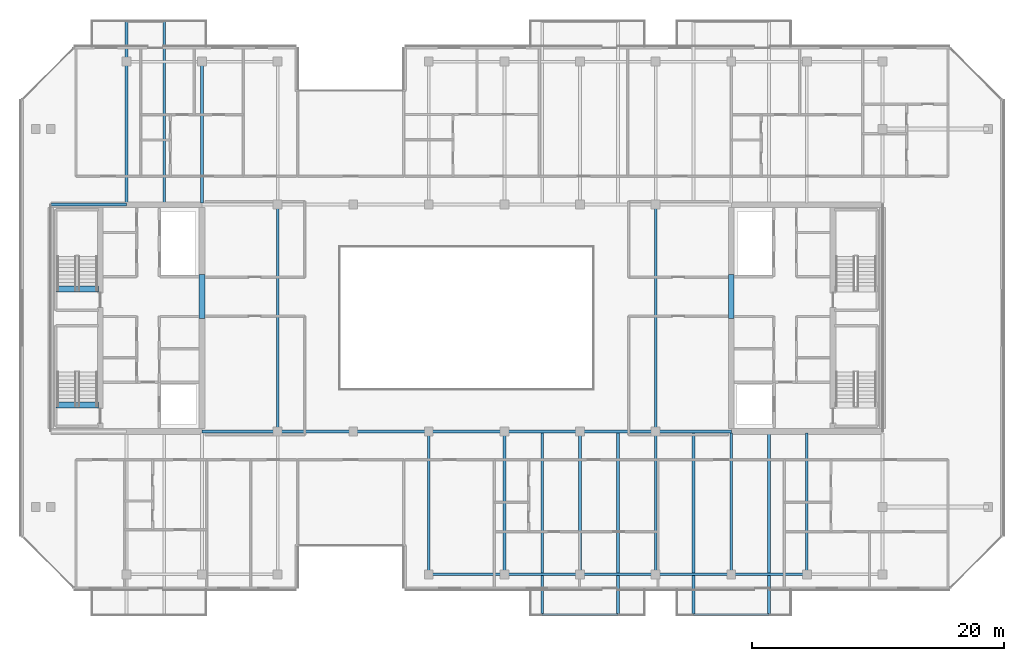
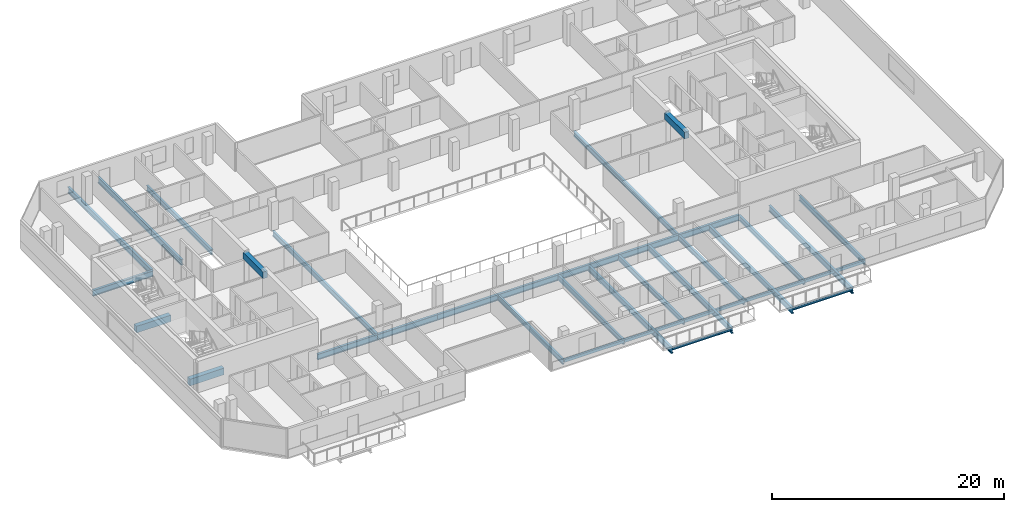
# One storey, part 5 of 24: 34 beams.
"""IFC4 building model written with IfcOpenShell, lengths in metres."""

from ifc_helpers import new_model, si_unit, direction, frame, origin, origin_2d, place, context, subcontext, project, spatial, rectangle, hollow_rectangle, i_section, extrude, material, material_profile, profile_set, type_object, element, save


model = new_model("IFC4")

# Units and contexts
model_context = context("Model", 3, precision=1e-05, world=origin(), true_north=direction((0.0, 1.0)))
body_context = subcontext(model_context, "Body", "Model", "MODEL_VIEW")
ifc_project = project(units=[si_unit("LENGTHUNIT", "METRE"), si_unit("AREAUNIT", "SQUARE_METRE"), si_unit("VOLUMEUNIT", "CUBIC_METRE"), si_unit("PLANEANGLEUNIT", "RADIAN"), si_unit("MASSUNIT", "GRAM", prefix="KILO")], contexts=[model_context])

# Site, building, storey
site_placement = place(None, origin())
site = spatial("IfcSite", under=ifc_project, at=site_placement, CompositionType="ELEMENT")
building_placement = place(site_placement, origin())
building = spatial("IfcBuilding", under=site, at=building_placement, Name="Tanjung Sevakor Pilgrim Tower", CompositionType="ELEMENT")
storey_placement = place(building_placement, frame((0.0, 0.0, 226.050048828125)))
storey = spatial("IfcBuildingStorey", under=building, at=storey_placement, Name="L63", CompositionType="ELEMENT", Elevation=226.050048828125)

# Beams
ifc_material_1 = material(Name="Steel S355J2", Category="steel")
ifc_material_profile_1 = material_profile(ifc_material_1, i_section(OverallWidth=0.22900390625, OverallDepth=0.6123046875, WebThickness=0.011962890625, FlangeThickness=0.01953125, FilletRadius=0.0126953125, at=origin_2d()))
ifc_profile_set_1 = profile_set([ifc_material_profile_1], Name="Steel S355J2")
beam_type_1 = type_object("IfcBeamType", Name="BM-B-G4-UB_610x229x125", PredefinedType="BEAM", material=ifc_profile_set_1)
for number, where, z_axis, x_axis, name in (
    (1, (36.0, 24.60009765625, -0.526123046875), (1.0, 0.0, 0.0), (0.0, 1.0, 0.0), "L63 Primary Floor Girder MAIN Y246-02"),
    (2, (42.0, 24.60009765625, -0.526123046875), (1.0, 0.0, 0.0), (0.0, 1.0, 0.0), "L63 Primary Floor Girder MAIN Y246-03"),
    (3, (48.0, 24.60009765625, -0.526123046875), (1.0, 0.0, 0.0), (0.0, 1.0, 0.0), "L63 Primary Floor Girder MAIN Y246-04"),
    (4, (54.0, 24.60009765625, -0.526123046875), (1.0, 0.0, 0.0), (0.0, 1.0, 0.0), "L63 Primary Floor Girder MAIN Y246-05"),
    (5, (60.0, 24.60009765625, -0.526123046875), (1.0, 0.0, 0.0), (0.0, 1.0, 0.0), "L63 Primary Floor Girder MAIN Y246-06"),
    (6, (66.0, 24.60009765625, -0.526123046875), (1.0, 0.0, 0.0), (0.0, 1.0, 0.0), "L63 Primary Floor Girder MAIN Y246-07"),
    (7, (72.0, 24.60009765625, -0.526123046875), (1.0, 0.0, 0.0), (0.0, 1.0, 0.0), "L63 Primary Floor Girder MAIN Y246-08"),
    (8, (24.0, 42.60009765625, -0.526123046875), (1.0, 0.0, 0.0), (0.0, 1.0, 0.0), "L63 Primary Floor Girder MAIN Y426-01"),
):
    element("IfcBeam", number, at=place(storey_placement, frame(where, z_axis=z_axis, x_axis=x_axis)), inside=storey, type_object=beam_type_1, Name=name, PredefinedType="BEAM", context=body_context, shape_type="SweptSolid", body=[
        extrude(i_section(OverallWidth=0.22900390625, OverallDepth=0.6123046875, WebThickness=0.011962890625, FlangeThickness=0.01953125, FilletRadius=0.0126953125, at=origin_2d()), origin(), (0.0, 0.0, 1.0), 6.0),
    ])
for number, where, z_axis, x_axis, name in (
    (9, (30.0, 42.714599609375, -0.526123046875), (0.0, 1.0, 0.0), (-1.0, 0.0, 0.0), "L63 Balcony Cantilever Beam MAIN-N1-1"),
    (10, (33.0, 42.714599609375, -0.526123046875), (0.0, 1.0, 0.0), (-1.0, 0.0, 0.0), "L63 Balcony Cantilever Beam MAIN-N1-2"),
):
    element("IfcBeam", number, at=place(storey_placement, frame(where, z_axis=z_axis, x_axis=x_axis)), inside=storey, type_object=beam_type_1, Name=name, PredefinedType="BEAM", context=body_context, shape_type="SweptSolid", body=[
        extrude(i_section(OverallWidth=0.22900390625, OverallDepth=0.6123046875, WebThickness=0.011962890625, FlangeThickness=0.01953125, FilletRadius=0.0126953125, at=origin_2d()), origin(), (0.0, 0.0, 1.0), 14.415283203125),
    ])
for number, where, z_axis, x_axis, name in (
    (11, (63.0, 24.485595703125, -0.526123046875), (0.0, -1.0, 0.0), (1.0, 0.0, 0.0), "L63 Balcony Cantilever Beam MAIN-S2-1"),
    (12, (69.0, 24.485595703125, -0.526123046875), (0.0, -1.0, 0.0), (1.0, 0.0, 0.0), "L63 Balcony Cantilever Beam MAIN-S2-2"),
    (13, (75.0, 24.485595703125, -0.526123046875), (0.0, -1.0, 0.0), (1.0, 0.0, 0.0), "L63 Balcony Cantilever Beam MAIN-S3-1"),
    (14, (81.0, 24.485595703125, -0.526123046875), (0.0, -1.0, 0.0), (1.0, 0.0, 0.0), "L63 Balcony Cantilever Beam MAIN-S3-2"),
):
    element("IfcBeam", number, at=place(storey_placement, frame(where, z_axis=z_axis, x_axis=x_axis)), inside=storey, type_object=beam_type_1, Name=name, PredefinedType="BEAM", context=body_context, shape_type="SweptSolid", body=[
        extrude(i_section(OverallWidth=0.22900390625, OverallDepth=0.6123046875, WebThickness=0.011962890625, FlangeThickness=0.01953125, FilletRadius=0.0126953125, at=origin_2d()), origin(), (0.0, 0.0, 1.0), 14.41552734375),
    ])
ifc_material_2 = material(Name="Steel S355J2", Category="steel")
ifc_material_profile_2 = material_profile(ifc_material_2, i_section(OverallWidth=0.2119140625, OverallDepth=0.54443359375, WebThickness=0.0126953125, FlangeThickness=0.021240234375, FilletRadius=0.0126953125, at=origin_2d()))
ifc_profile_set_2 = profile_set([ifc_material_profile_2], Name="Steel S355J2")
beam_type_2 = type_object("IfcBeamType", Name="BM-B-G5-UB_533x210x122", PredefinedType="BEAM", material=ifc_profile_set_2)
beam_1_placement = place(storey_placement, frame((36.0, 42.714599609375, -0.492431640625), z_axis=(0.0, 1.0, 0.0), x_axis=(-1.0, 0.0, 0.0)))
element("IfcBeam", 15, at=beam_1_placement, inside=storey, type_object=beam_type_2, Name="L63 MAIN Girder 002", PredefinedType="BEAM", context=body_context, shape_type="SweptSolid", body=[
    extrude(i_section(OverallWidth=0.2119140625, OverallDepth=0.54443359375, WebThickness=0.0126953125, FlangeThickness=0.021240234375, FilletRadius=0.0126953125, at=origin_2d()), origin(), (0.0, 0.0, 1.0), 11.2353515625),
])
beam_2_placement = place(storey_placement, frame((42.0, 24.60009765625, -0.492431640625), z_axis=(0.0, 1.0, 0.0), x_axis=(-1.0, 0.0, 0.0)))
element("IfcBeam", 16, at=beam_2_placement, inside=storey, type_object=beam_type_2, Name="L63 MAIN Girder 004", PredefinedType="BEAM", context=body_context, shape_type="SweptSolid", body=[
    extrude(i_section(OverallWidth=0.2119140625, OverallDepth=0.54443359375, WebThickness=0.0126953125, FlangeThickness=0.021240234375, FilletRadius=0.0126953125, at=origin_2d()), origin(), (0.0, 0.0, 1.0), 18.0),
])
for number, where, z_axis, x_axis, name in (
    (17, (54.0, 13.25, -0.492431640625), (0.0, 1.0, 0.0), (-1.0, 0.0, 0.0), "L63 MAIN Girder 006"),
    (18, (60.0, 13.25, -0.492431640625), (0.0, 1.0, 0.0), (-1.0, 0.0, 0.0), "L63 MAIN Girder 008"),
    (19, (66.0, 13.25, -0.492431640625), (0.0, 1.0, 0.0), (-1.0, 0.0, 0.0), "L63 MAIN Girder 010"),
    (20, (72.0, 13.25, -0.492431640625), (0.0, 1.0, 0.0), (-1.0, 0.0, 0.0), "L63 MAIN Girder 012"),
):
    element("IfcBeam", number, at=place(storey_placement, frame(where, z_axis=z_axis, x_axis=x_axis)), inside=storey, type_object=beam_type_2, Name=name, PredefinedType="BEAM", context=body_context, shape_type="SweptSolid", body=[
        extrude(i_section(OverallWidth=0.2119140625, OverallDepth=0.54443359375, WebThickness=0.0126953125, FlangeThickness=0.021240234375, FilletRadius=0.0126953125, at=origin_2d()), origin(), (0.0, 0.0, 1.0), 11.35009765625),
    ])
beam_3_placement = place(storey_placement, frame((72.0, 24.60009765625, -0.492431640625), z_axis=(0.0, 1.0, 0.0), x_axis=(-1.0, 0.0, 0.0)))
element("IfcBeam", 21, at=beam_3_placement, inside=storey, type_object=beam_type_2, Name="L63 MAIN Girder 013", PredefinedType="BEAM", context=body_context, shape_type="SweptSolid", body=[
    extrude(i_section(OverallWidth=0.2119140625, OverallDepth=0.54443359375, WebThickness=0.0126953125, FlangeThickness=0.021240234375, FilletRadius=0.0126953125, at=origin_2d()), origin(), (0.0, 0.0, 1.0), 18.0),
])
for number, where, z_axis, x_axis, name in (
    (22, (78.0, 13.25, -0.492431640625), (0.0, 1.0, 0.0), (-1.0, 0.0, 0.0), "L63 MAIN Girder 015"),
    (23, (84.0, 13.25, -0.492431640625), (0.0, 1.0, 0.0), (-1.0, 0.0, 0.0), "L63 MAIN Girder 017"),
):
    element("IfcBeam", number, at=place(storey_placement, frame(where, z_axis=z_axis, x_axis=x_axis)), inside=storey, type_object=beam_type_2, Name=name, PredefinedType="BEAM", context=body_context, shape_type="SweptSolid", body=[
        extrude(i_section(OverallWidth=0.2119140625, OverallDepth=0.54443359375, WebThickness=0.0126953125, FlangeThickness=0.021240234375, FilletRadius=0.0126953125, at=origin_2d()), origin(), (0.0, 0.0, 1.0), 11.235595703125),
    ])
ifc_material_3 = material(Name="Steel S355J2", Category="steel")
ifc_material_profile_3 = material_profile(ifc_material_3, i_section(OverallWidth=0.146484375, OverallDepth=0.256103515625, WebThickness=0.00634765625, FlangeThickness=0.010986328125, FilletRadius=0.007568359375, at=origin_2d()))
ifc_profile_set_3 = profile_set([ifc_material_profile_3], Name="Steel S355J2")
beam_type_3 = type_object("IfcBeamType", Name="BM-B-J6-UB_254x146x37", PredefinedType="JOIST", material=ifc_profile_set_3)
for number, where, z_axis, x_axis, name in (
    (24, (63.0, 10.070068359375, -0.328125), (1.0, 0.0, 0.0), (0.0, 1.0, 0.0), "L63 Balcony Rim Tie MAIN-S2"),
    (25, (75.0, 10.070068359375, -0.328125), (1.0, 0.0, 0.0), (0.0, 1.0, 0.0), "L63 Balcony Rim Tie MAIN-S3"),
):
    element("IfcBeam", number, at=place(storey_placement, frame(where, z_axis=z_axis, x_axis=x_axis)), inside=storey, type_object=beam_type_3, Name=name, PredefinedType="JOIST", context=body_context, shape_type="SweptSolid", body=[
        extrude(i_section(OverallWidth=0.146484375, OverallDepth=0.256103515625, WebThickness=0.00634765625, FlangeThickness=0.010986328125, FilletRadius=0.007568359375, at=origin_2d()), origin(), (0.0, 0.0, 1.0), 6.0),
    ])
ifc_material_4 = material(Name="Concrete C60/75", Category="concrete")
ifc_material_profile_4 = material_profile(ifc_material_4, rectangle(XDim=0.449951171875, YDim=0.699951171875, at=origin_2d()))
ifc_profile_set_4 = profile_set([ifc_material_profile_4], Name="Concrete C60/75")
beam_type_4 = type_object("IfcBeamType", Name="BM-B-LN3-RC-BM_450x700", PredefinedType="LINTEL", material=ifc_profile_set_4)
for number, where, z_axis, x_axis, name in (
    (26, (36.0, 33.550048828125, 2.669921875), (0.0, 1.0, 0.0), (-1.0, 0.0, 0.0), "L63 W Core Coupling Lintel"),
    (27, (78.0, 33.550048828125, 2.669921875), (0.0, 1.0, 0.0), (-1.0, 0.0, 0.0), "L63 E Core Coupling Lintel"),
):
    element("IfcBeam", number, at=place(storey_placement, frame(where, z_axis=z_axis, x_axis=x_axis)), inside=storey, type_object=beam_type_4, Name=name, PredefinedType="LINTEL", context=body_context, shape_type="SweptSolid", body=[
        extrude(rectangle(XDim=0.449951171875, YDim=0.699951171875, at=origin_2d()), origin(), (0.0, 0.0, 1.0), 3.5),
    ])
for number, where, z_axis, x_axis, name in (
    (28, (24.39990234375, 26.699951171875, -0.35009765625), (1.0, 0.0, 0.0), (0.0, 1.0, 0.0), "L63 TS-W1 Stair Threshold Beam"),
    (29, (24.39990234375, 35.89990234375, -0.35009765625), (1.0, 0.0, 0.0), (0.0, 1.0, 0.0), "L63 TS-W2 Stair Threshold Beam"),
):
    element("IfcBeam", number, at=place(storey_placement, frame(where, z_axis=z_axis, x_axis=x_axis)), inside=storey, type_object=beam_type_4, Name=name, PredefinedType="LINTEL", context=body_context, shape_type="SweptSolid", body=[
        extrude(rectangle(XDim=0.449951171875, YDim=0.699951171875, at=origin_2d()), origin(), (0.0, 0.0, 1.0), 3.400146484375),
    ])
ifc_material_5 = material(Name="Steel S355J2", Category="steel")
ifc_material_profile_5 = material_profile(ifc_material_5, hollow_rectangle(XDim=0.199951171875, YDim=0.300048828125, WallThickness=0.012451171875, at=origin_2d()))
ifc_profile_set_5 = profile_set([ifc_material_profile_5], Name="Steel S355J2")
beam_type_5 = type_object("IfcBeamType", Name="BM-B-SP3-RHS_300x200x12.5", PredefinedType="SPANDREL", material=ifc_profile_set_5)
for number, where, z_axis, x_axis, name in (
    (30, (54.0, 13.25, -0.3701171875), (1.0, 0.0, 0.0), (0.0, 1.0, 0.0), "L63 Spandrel MAIN S-05"),
    (31, (60.0, 13.25, -0.3701171875), (1.0, 0.0, 0.0), (0.0, 1.0, 0.0), "L63 Spandrel MAIN S-07"),
    (32, (66.0, 13.25, -0.3701171875), (1.0, 0.0, 0.0), (0.0, 1.0, 0.0), "L63 Spandrel MAIN S-09"),
    (33, (72.0, 13.25, -0.3701171875), (1.0, 0.0, 0.0), (0.0, 1.0, 0.0), "L63 Spandrel MAIN S-11"),
    (34, (78.0, 13.25, -0.3701171875), (1.0, 0.0, 0.0), (0.0, 1.0, 0.0), "L63 Spandrel MAIN S-13"),
):
    element("IfcBeam", number, at=place(storey_placement, frame(where, z_axis=z_axis, x_axis=x_axis)), inside=storey, type_object=beam_type_5, Name=name, PredefinedType="SPANDREL", context=body_context, shape_type="SweptSolid", body=[
        extrude(hollow_rectangle(XDim=0.199951171875, YDim=0.300048828125, WallThickness=0.012451171875, at=origin_2d()), origin(), (0.0, 0.0, 1.0), 6.0),
    ])

save(model, "model.ifc")
